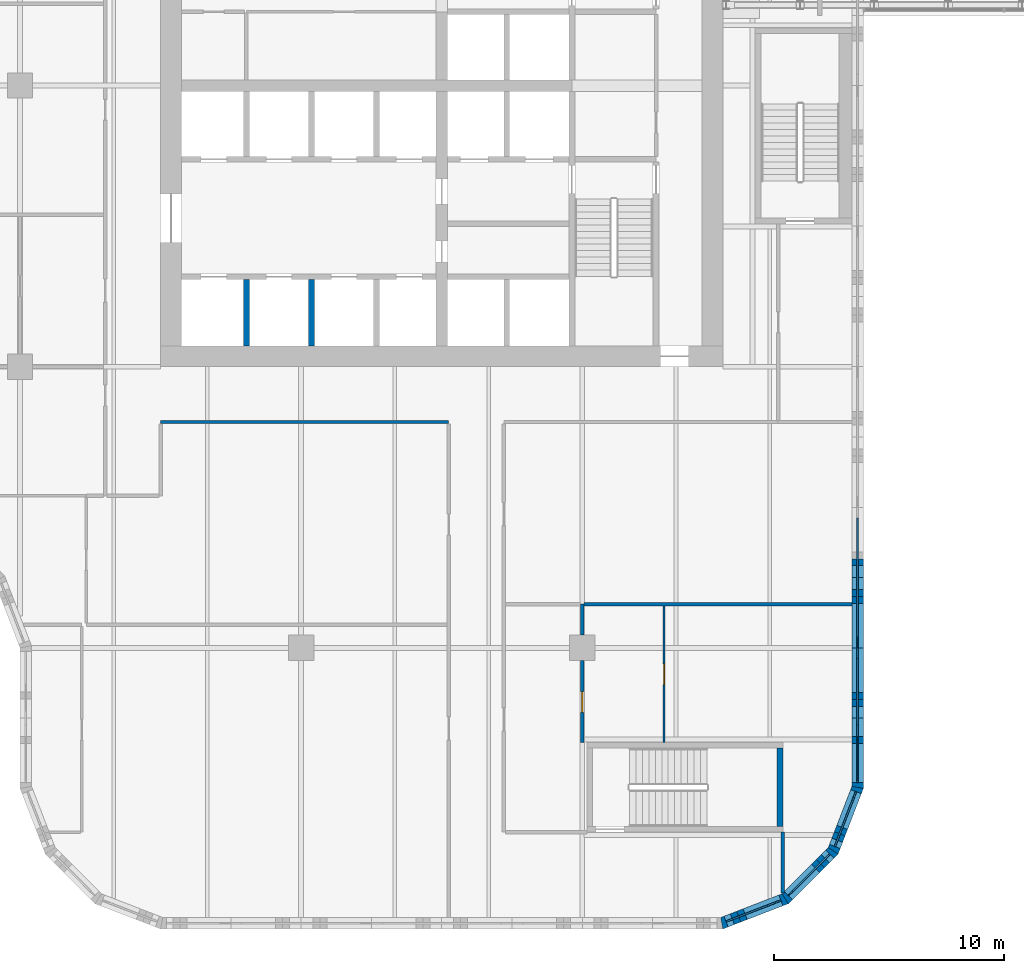
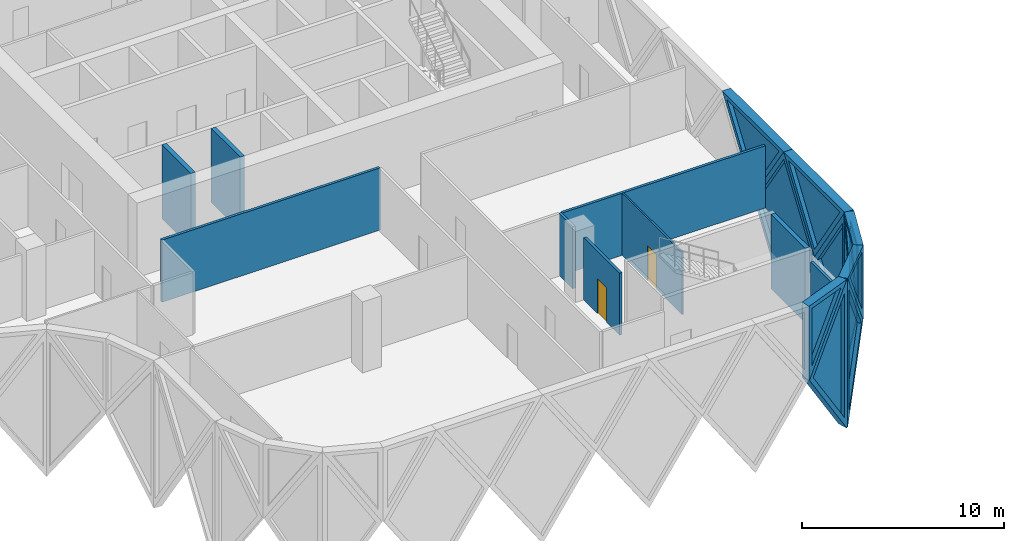
# One storey, part 13 of 30: 19 walls, 10 plates, 2 doors, 12 openings.
"""IFC4 building model written with IfcOpenShell, lengths in metres."""

from ifc_helpers import new_model, si_unit, direction, frame, frame_2d, origin, place, context, subcontext, project, spatial, polyline, rectangle, outline, extrude, faceted_brep, source, transform, mapped, material, layer, layer_set, type_object, element, fill, save


model = new_model("IFC4")

# Units and contexts
model_context = context("Model", 3, precision=1e-05, world=origin(), true_north=direction((0.0, 1.0)))
body_context = subcontext(model_context, "Body", "Model", "MODEL_VIEW")
ifc_project = project(units=[si_unit("LENGTHUNIT", "METRE"), si_unit("AREAUNIT", "SQUARE_METRE"), si_unit("VOLUMEUNIT", "CUBIC_METRE"), si_unit("PLANEANGLEUNIT", "RADIAN"), si_unit("MASSUNIT", "GRAM", prefix="KILO")], contexts=[model_context])

# Site, building, storey
site_placement = place(None, origin())
site = spatial("IfcSite", under=ifc_project, at=site_placement, CompositionType="ELEMENT")
building_placement = place(site_placement, origin())
building = spatial("IfcBuilding", under=site, at=building_placement, Name="Tessera Gate Towers", CompositionType="ELEMENT")
storey_placement = place(building_placement, frame((0.0, 0.0, 21.300048828125)))
storey = spatial("IfcBuildingStorey", under=building, at=storey_placement, Name="L04", CompositionType="ELEMENT", Elevation=21.300048828125)

# Walls
ifc_material_1 = material(Name="Concrete C40/50", Category="concrete")
ifc_layer_1 = layer(ifc_material_1, 0.25)
ifc_layer_set_1 = layer_set([ifc_layer_1], Name="CORE ENCLOSURE WALL 250")
wall_type_1 = type_object("IfcWallType", Name="CORE ENCLOSURE WALL 250", PredefinedType="SOLIDWALL", material=ifc_layer_set_1)
for number, where, z_axis, x_axis, name in (
    (1, (34.22509765625, 25.300048828125, 0.0), (0.0, 0.0, 1.0), (0.0, 1.0, 0.0), "L04 shaft and stair enclosure wall"),
    (2, (37.050048828125, 25.300048828125, 0.0), (0.0, 0.0, 1.0), (0.0, 1.0, 0.0), "L04 shaft and stair enclosure wall"),
):
    element("IfcWall", number, at=place(storey_placement, frame(where, z_axis=z_axis, x_axis=x_axis)), inside=storey, type_object=wall_type_1, Name=name, PredefinedType="SOLIDWALL", context=body_context, shape_type="SweptSolid", body=[
        extrude(rectangle(XDim=2.875, YDim=0.25, at=frame_2d((1.4375, 0.0))), origin(), (0.0, 0.0, 1.0), 4.5),
    ])
wall_1_placement = place(storey_placement, frame((57.375, 7.85009765625, 0.0), z_axis=(0.0, 0.0, 1.0), x_axis=(0.0, -1.0, 0.0)))
element("IfcWall", 3, at=wall_1_placement, inside=storey, type_object=wall_type_1, Name="L04 ST4 enclosure wall", PredefinedType="SOLIDWALL", context=body_context, shape_type="SweptSolid", body=[
    extrude(rectangle(XDim=3.400146484375, YDim=0.25, at=frame_2d((1.7001953125, 0.0))), origin(), (0.0, 0.0, 1.0), 4.5),
])
ifc_material_2 = material(Name="Gypsum board on steel studs, mineral wool", Category="steel")
ifc_layer_2 = layer(ifc_material_2, 0.14990234375)
ifc_layer_set_2 = layer_set([ifc_layer_2], Name="CORRIDOR WALL 150")
wall_type_2 = type_object("IfcWallType", Name="CORRIDOR WALL 150", PredefinedType="PARTITIONING", material=ifc_layer_set_2)
wall_2_placement = place(storey_placement, frame((57.5, 1.55908203125, 0.0), z_axis=(0.0, 0.0, 1.0), x_axis=(0.0, 1.0, 0.0)))
element("IfcWall", 4, at=wall_2_placement, inside=storey, type_object=wall_type_2, Name="T1-L04-PW-002", PredefinedType="PARTITIONING", context=body_context, shape_type="SweptSolid", body=[
    extrude(rectangle(XDim=2.640869140625, YDim=0.14990234375, at=frame_2d((1.3203125, 0.0))), origin(), (0.0, 0.0, 1.0), 3.766845703125),
])
wall_3_placement = place(storey_placement, frame((30.5, 22.0, 0.0), z_axis=(0.0, 0.0, 1.0), x_axis=(1.0, 0.0, 0.0)))
element("IfcWall", 5, at=wall_3_placement, inside=storey, type_object=wall_type_2, Name="T1-L04-PW-022", PredefinedType="PARTITIONING", context=body_context, shape_type="SweptSolid", body=[
    extrude(rectangle(XDim=12.5, YDim=0.14990234375, at=frame_2d((6.25, 0.0))), origin(), (0.0, 0.0, 1.0), 3.766845703125),
])

# Wall, opening, door
ifc_material_3 = material(Name="Gypsum board on steel studs", Category="steel")
ifc_layer_3 = layer(ifc_material_3, 0.10009765625)
ifc_layer_set_3 = layer_set([ifc_layer_3], Name="PARTITION 100")
wall_type_3 = type_object("IfcWallType", Name="PARTITION 100", PredefinedType="PARTITIONING", material=ifc_layer_set_3)
wall_4_placement = place(storey_placement, frame((52.35009765625, 14.02392578125, 0.0), z_axis=(0.0, 0.0, 1.0), x_axis=(0.0, -1.0, 0.0)))
wall_4 = element("IfcWall", 6, at=wall_4_placement, inside=storey, type_object=wall_type_3, Name="T1-L04-PW-008", PredefinedType="PARTITIONING", context=body_context, shape_type="SweptSolid", body=[
    extrude(rectangle(XDim=5.923828125, YDim=0.10009765625, at=frame_2d((2.9619140625, 0.0))), origin(), (0.0, 0.0, 1.0), 3.766845703125),
])
shared_shape_1 = source(origin(), body_context, "Body", "SweptSolid", [
    extrude(rectangle(XDim=0.89990234375, YDim=2.10009765625, at=frame_2d((0.449951171875, 1.050048828125))), frame((0.0, 0.06005859375, 0.0), z_axis=(0.0, -1.0, 0.0), x_axis=(1.0, 0.0, 0.0)), (0.0, 0.0, 1.0), 0.1201171875),
])
opening_1_placement = place(wall_4_placement, frame((2.52392578125, 0.0, 0.0)))
opening_1 = element("IfcOpeningElement", 7, at=opening_1_placement, cuts=wall_4, Name="Opening D190-A01-05", PredefinedType="OPENING", context=body_context, shape_type="MappedRepresentation", body=[
    mapped(shared_shape_1, transform((0.0, 0.0, 0.0), scale=1.0)),
])
ifc_material_4 = material(Name="Timber door leaf in steel frame", Category="steel")
door_type = type_object("IfcDoorType", Name="INTERNAL DOOR 900 NOT RATED", OperationType="NOTDEFINED", PredefinedType="DOOR", material=ifc_material_4)
shared_shape_2 = source(origin(), body_context, "Body", "SweptSolid", [
    extrude(rectangle(XDim=0.89990234375, YDim=2.10009765625, at=frame_2d((0.449951171875, 1.050048828125))), frame((0.0, 0.02490234375, 0.0), z_axis=(0.0, -1.0, 0.0), x_axis=(1.0, 0.0, 0.0)), (0.0, 0.0, 1.0), 0.050048828125),
])
door_1_placement = place(opening_1_placement, origin())
door_1 = element("IfcDoor", 8, at=door_1_placement, inside=storey, type_object=door_type, Name="T1-L04-PD-009", OperationType="SINGLE_SWING_RIGHT", OverallHeight=2.10009765625, OverallWidth=0.89990234375, PredefinedType="DOOR", context=body_context, shape_type="MappedRepresentation", body=[
    mapped(shared_shape_2, transform((0.0, 0.0, 0.0), scale=1.0)),
])
fill(opening_1, door_1)

ifc_material_5 = material(Name="Gypsum board on steel studs, mineral wool", Category="steel")
ifc_layer_4 = layer(ifc_material_5, 0.14990234375)
ifc_layer_set_4 = layer_set([ifc_layer_4], Name="TENANCY WALL 150")
wall_type_4 = type_object("IfcWallType", Name="TENANCY WALL 150", PredefinedType="PARTITIONING", material=ifc_layer_set_4)
wall_5_placement = place(storey_placement, frame((48.800048828125, 11.64892578125, 0.0), z_axis=(0.0, 0.0, 1.0), x_axis=(0.0, -1.0, 0.0)))
wall_5 = element("IfcWall", 9, at=wall_5_placement, inside=storey, type_object=wall_type_4, Name="T1-L04-PW-007", PredefinedType="PARTITIONING", context=body_context, shape_type="SweptSolid", body=[
    extrude(rectangle(XDim=3.548828125, YDim=0.14990234375, at=frame_2d((1.7744140625, 0.0))), origin(), (0.0, 0.0, 1.0), 3.766845703125),
])
shared_shape_3 = source(origin(), body_context, "Body", "SweptSolid", [
    extrude(rectangle(XDim=0.89990234375, YDim=2.10009765625, at=frame_2d((0.449951171875, 1.050048828125))), frame((0.0, 0.0849609375, 0.0), z_axis=(0.0, -1.0, 0.0), x_axis=(1.0, 0.0, 0.0)), (0.0, 0.0, 1.0), 0.169921875),
])
opening_2_placement = place(wall_5_placement, frame((1.34912109375, 0.0, 0.0)))
opening_2 = element("IfcOpeningElement", 10, at=opening_2_placement, cuts=wall_5, Name="Opening D190-A01-04", PredefinedType="OPENING", context=body_context, shape_type="MappedRepresentation", body=[
    mapped(shared_shape_3, transform((0.0, 0.0, 0.0), scale=1.0)),
])
door_2_placement = place(opening_2_placement, origin())
door_2 = element("IfcDoor", 11, at=door_2_placement, inside=storey, type_object=door_type, Name="T1-L04-PD-005", OperationType="SINGLE_SWING_RIGHT", OverallHeight=2.10009765625, OverallWidth=0.89990234375, PredefinedType="DOOR", context=body_context, shape_type="MappedRepresentation", body=[
    mapped(shared_shape_2, transform((0.0, 0.0, 0.0), scale=1.0)),
])
fill(opening_2, door_2)

# Walls
wall_6_placement = place(storey_placement, frame((48.800048828125, 12.7509765625, 0.0), z_axis=(0.0, 0.0, 1.0), x_axis=(0.0, 1.0, 0.0)))
element("IfcWall", 12, at=wall_6_placement, inside=storey, type_object=wall_type_4, Name="T1-L04-PW-009", PredefinedType="PARTITIONING", context=body_context, shape_type="SweptSolid", body=[
    extrude(rectangle(XDim=1.34912109375, YDim=0.14990234375, at=frame_2d((0.674560546875, 0.0))), origin(), (0.0, 0.0, 1.0), 3.766845703125),
])
wall_7_placement = place(storey_placement, frame((48.8759765625, 14.10009765625, 0.0), z_axis=(0.0, 0.0, 1.0), x_axis=(1.0, 0.0, 0.0)))
element("IfcWall", 13, at=wall_7_placement, inside=storey, type_object=wall_type_4, Name="T1-L04-PW-014", PredefinedType="PARTITIONING", context=body_context, shape_type="SweptSolid", body=[
    extrude(rectangle(XDim=11.6240234375, YDim=0.14990234375, at=frame_2d((5.81201171875, 0.0))), origin(), (0.0, 0.0, 1.0), 3.766845703125),
])

# Wall, opening, plate
ifc_material_6 = material(Name="Precast concrete C60/75 white", Category="concrete")
ifc_layer_5 = layer(ifc_material_6, 0.5)
ifc_layer_set_5 = layer_set([ifc_layer_5], Name="TS1 tessera")
wall_type_5 = type_object("IfcWallType", Name="TS1 tessera", PredefinedType="SOLIDWALL", material=ifc_layer_set_5)
shared_shape_4 = source(origin(), body_context, "Body", "SweptSolid", [
    extrude(outline(polyline([(3.050048828125, 0.0), (6.10009765625, 4.5), (3.050048828125, 9.0), (0.0, 4.5), (3.050048828125, 0.0)])), frame((0.0, 0.25, 0.0), z_axis=(0.0, -1.0, 0.0), x_axis=(1.0, 0.0, 0.0)), (0.0, 0.0, 1.0), 0.5),
])
wall_8_placement = place(storey_placement, frame((60.75, 9.14990234375, -4.5), z_axis=(0.0, 0.0, 1.0), x_axis=(0.0, 1.0, 0.0)))
wall_8 = element("IfcWall", 14, at=wall_8_placement, inside=storey, type_object=wall_type_5, Name="Precast tessera T1 TS1-0005", PredefinedType="SOLIDWALL", context=body_context, shape_type="MappedRepresentation", body=[
    mapped(shared_shape_4, transform((0.0, 0.0, 0.0), scale=1.0)),
])
shared_shape_5 = source(origin(), body_context, "Body", "SweptSolid", [
    extrude(outline(polyline([(3.050048828125, 0.445556640625), (5.798095703125, 4.5), (3.050048828125, 8.554443359375), (0.302001953125, 4.5), (3.050048828125, 0.445556640625)])), frame((0.0, 0.260009765625, 0.0), z_axis=(0.0, -1.0, 0.0), x_axis=(1.0, 0.0, 0.0)), (0.0, 0.0, 1.0), 0.52001953125),
])
opening_3_placement = place(wall_8_placement, origin())
opening_3 = element("IfcOpeningElement", 15, at=opening_3_placement, cuts=wall_8, Name="Opening T1-PL2-0009", PredefinedType="OPENING", context=body_context, shape_type="MappedRepresentation", body=[
    mapped(shared_shape_5, transform((0.0, 0.0, 0.0), scale=1.0)),
])
ifc_material_7 = material(Name="Low-e laminated glass", Category="glass")
ifc_layer_6 = layer(ifc_material_7, 0.06005859375)
ifc_layer_set_6 = layer_set([ifc_layer_6], Name="PL2 rhombic pane")
plate_type_1 = type_object("IfcPlateType", Name="PL2 rhombic pane", PredefinedType="SHEET", material=ifc_layer_set_6)
shared_shape_6 = source(origin(), body_context, "Body", "SweptSolid", [
    extrude(outline(polyline([(3.050048828125, 0.445556640625), (5.798095703125, 4.5), (3.050048828125, 8.554443359375), (0.302001953125, 4.5), (3.050048828125, 0.445556640625)])), frame((0.0, 0.030029296875, 0.0), z_axis=(0.0, -1.0, 0.0), x_axis=(1.0, 0.0, 0.0)), (0.0, 0.0, 1.0), 0.06005859375),
])
plate_1_placement = place(opening_3_placement, origin())
plate_1 = element("IfcPlate", 16, at=plate_1_placement, inside=storey, type_object=plate_type_1, Name="Glass pane T1 PL2-0009", PredefinedType="SHEET", context=body_context, shape_type="MappedRepresentation", body=[
    mapped(shared_shape_6, transform((0.0, 0.0, 0.0), scale=1.0)),
])
fill(opening_3, plate_1)

ifc_material_8 = material(Name="Precast concrete C60/75 white", Category="concrete")
ifc_layer_7 = layer(ifc_material_8, 0.5)
ifc_layer_set_7 = layer_set([ifc_layer_7], Name="TS3 corner tessera")
wall_type_6 = type_object("IfcWallType", Name="TS3 corner tessera", PredefinedType="SOLIDWALL", material=ifc_layer_set_7)
shared_shape_7 = source(origin(), body_context, "Body", "Brep", [
    faceted_brep([(2.950439453125, -0.25, 0.0), (3.00341796875, -0.25, 0.0810546875), (3.00341796875, -0.25, 8.9189453125), (2.950439453125, -0.25, 9.0), (0.0, -0.25, 4.5), (0.046630859375, 0.25, 4.571044921875), (2.897705078125, 0.25, 8.91943359375), (2.897705078125, 0.25, 0.08056640625), (0.046630859375, 0.25, 4.428955078125), (2.950439453125, 0.00048828125, 0.0), (2.950439453125, 0.00048828125, 9.0), (0.0, 0.0, 4.5)], [[[0, 1, 2, 3, 4]], [[5, 6, 7, 8]], [[1, 0, 9]], [[10, 3, 2]], [[6, 5, 11, 4, 3, 10]], [[8, 7, 9, 0, 4, 11]], [[8, 11, 5]], [[1, 9, 7, 6, 10, 2]]]),
])
wall_9_placement = place(storey_placement, frame((54.853515625, 0.25, -4.5), z_axis=(0.0, 0.0, 1.0), x_axis=(0.932970071518, 0.359953949349, 0.0)))
wall_9 = element("IfcWall", 17, at=wall_9_placement, inside=storey, type_object=wall_type_6, Name="Precast corner tessera T1 TS3-0025", PredefinedType="SOLIDWALL", context=body_context, shape_type="MappedRepresentation", body=[
    mapped(shared_shape_7, transform((0.0, 0.0, 0.0), scale=1.0)),
])
shared_shape_8 = source(origin(), body_context, "Body", "SweptSolid", [
    extrude(outline(polyline([(2.75048828125, 8.239013671875), (0.298828125, 4.5), (2.75048828125, 0.760986328125), (2.75048828125, 8.239013671875)])), frame((0.0, 0.260009765625, 0.0), z_axis=(0.0, -1.0, 0.0), x_axis=(1.0, 0.0, 0.0)), (0.0, 0.0, 1.0), 0.52001953125),
])
opening_4_placement = place(wall_9_placement, origin())
opening_4 = element("IfcOpeningElement", 18, at=opening_4_placement, cuts=wall_9, Name="Opening T1-PL2-0005", PredefinedType="OPENING", context=body_context, shape_type="MappedRepresentation", body=[
    mapped(shared_shape_8, transform((0.0, 0.0, 0.0), scale=1.0)),
])
shared_shape_9 = source(origin(), body_context, "Body", "SweptSolid", [
    extrude(outline(polyline([(2.75048828125, 8.239013671875), (0.298828125, 4.5), (2.75048828125, 0.760986328125), (2.75048828125, 8.239013671875)])), frame((0.0, 0.030029296875, 0.0), z_axis=(0.0, -1.0, 0.0), x_axis=(1.0, 0.0, 0.0)), (0.0, 0.0, 1.0), 0.06005859375),
])
plate_2_placement = place(opening_4_placement, origin())
plate_2 = element("IfcPlate", 19, at=plate_2_placement, inside=storey, type_object=plate_type_1, Name="Glass pane T1 PL2-0005", PredefinedType="SHEET", context=body_context, shape_type="MappedRepresentation", body=[
    mapped(shared_shape_9, transform((0.0, 0.0, 0.0), scale=1.0)),
])
fill(opening_4, plate_2)

shared_shape_10 = source(origin(), body_context, "Body", "Brep", [
    faceted_brep([(0.052978515625, -0.25, 0.0), (2.9970703125, -0.25, 4.5), (0.052978515625, -0.25, 9.0), (0.0, -0.25, 8.919189453125), (0.0, -0.25, 0.080810546875), (0.10595703125, 0.25, 8.919189453125), (2.944091796875, 0.25, 4.580810546875), (2.944091796875, 0.25, 4.419189453125), (0.10595703125, 0.25, 0.080810546875), (2.9970703125, 0.000244140625, 4.5), (0.052978515625, 0.0, 0.0), (0.052978515625, 0.0, 9.0)], [[[0, 1, 2, 3, 4]], [[5, 6, 7, 8]], [[8, 7, 9, 1, 0, 10]], [[6, 5, 11, 2, 1, 9]], [[3, 2, 11]], [[10, 0, 4]], [[8, 10, 4, 3, 11, 5]], [[9, 7, 6]]]),
])
wall_10_placement = place(storey_placement, frame((57.56884765625, 1.2744140625, -4.5), z_axis=(0.0, 0.0, 1.0), x_axis=(0.707066050402, 0.707147509625, 0.0)))
wall_10 = element("IfcWall", 20, at=wall_10_placement, inside=storey, type_object=wall_type_6, Name="Precast corner tessera T1 TS3-0026", PredefinedType="SOLIDWALL", context=body_context, shape_type="MappedRepresentation", body=[
    mapped(shared_shape_10, transform((0.0, 0.0, 0.0), scale=1.0)),
])
shared_shape_11 = source(origin(), body_context, "Body", "SweptSolid", [
    extrude(outline(polyline([(0.2529296875, 0.76220703125), (2.698486328125, 4.5), (0.2529296875, 8.237548828125), (0.2529296875, 0.76220703125)])), frame((0.0, 0.260009765625, 0.0), z_axis=(0.0, -1.0, 0.0), x_axis=(1.0, 0.0, 0.0)), (0.0, 0.0, 1.0), 0.52001953125),
])
opening_5_placement = place(wall_10_placement, origin())
opening_5 = element("IfcOpeningElement", 21, at=opening_5_placement, cuts=wall_10, Name="Opening T1-PL2-0006", PredefinedType="OPENING", context=body_context, shape_type="MappedRepresentation", body=[
    mapped(shared_shape_11, transform((0.0, 0.0, 0.0), scale=1.0)),
])
shared_shape_12 = source(origin(), body_context, "Body", "SweptSolid", [
    extrude(outline(polyline([(0.2529296875, 0.76220703125), (2.698486328125, 4.5), (0.2529296875, 8.237548828125), (0.2529296875, 0.76220703125)])), frame((0.0, 0.030029296875, 0.0), z_axis=(0.0, -1.0, 0.0), x_axis=(1.0, 0.0, 0.0)), (0.0, 0.0, 1.0), 0.06005859375),
])
plate_3_placement = place(opening_5_placement, origin())
plate_3 = element("IfcPlate", 22, at=plate_3_placement, inside=storey, type_object=plate_type_1, Name="Glass pane T1 PL2-0006", PredefinedType="SHEET", context=body_context, shape_type="MappedRepresentation", body=[
    mapped(shared_shape_12, transform((0.0, 0.0, 0.0), scale=1.0)),
])
fill(opening_5, plate_3)

shared_shape_13 = source(origin(), body_context, "Body", "Brep", [
    faceted_brep([(2.950439453125, -0.25, 0.0), (2.9970703125, -0.25, 0.06982421875), (2.9970703125, -0.25, 8.93017578125), (2.950439453125, -0.25, 9.0), (0.0, -0.25, 4.5), (0.052978515625, 0.25, 4.580810546875), (2.904052734375, 0.25, 8.92919921875), (2.904052734375, 0.25, 0.07080078125), (0.052978515625, 0.25, 4.419189453125), (2.950439453125, 0.00048828125, 0.0), (2.950439453125, 0.00048828125, 9.0), (0.0, 0.0, 4.5)], [[[0, 1, 2, 3, 4]], [[5, 6, 7, 8]], [[1, 0, 9]], [[10, 3, 2]], [[6, 5, 11, 4, 3, 10]], [[8, 7, 9, 0, 4, 11]], [[8, 11, 5]], [[1, 9, 7, 6, 10, 2]]]),
])
wall_11_placement = place(storey_placement, frame((59.68798828125, 3.393798828125, -4.5), z_axis=(0.0, 0.0, 1.0), x_axis=(0.359972353723, 0.932962970624, 0.0)))
wall_11 = element("IfcWall", 23, at=wall_11_placement, inside=storey, type_object=wall_type_6, Name="Precast corner tessera T1 TS3-0027", PredefinedType="SOLIDWALL", context=body_context, shape_type="MappedRepresentation", body=[
    mapped(shared_shape_13, transform((0.0, 0.0, 0.0), scale=1.0)),
])
opening_6_placement = place(wall_11_placement, origin())
opening_6 = element("IfcOpeningElement", 24, at=opening_6_placement, cuts=wall_11, Name="Opening T1-PL2-0007", PredefinedType="OPENING", context=body_context, shape_type="MappedRepresentation", body=[
    mapped(shared_shape_8, transform((0.0, 0.0, 0.0), scale=1.0)),
])
plate_4_placement = place(opening_6_placement, origin())
plate_4 = element("IfcPlate", 25, at=plate_4_placement, inside=storey, type_object=plate_type_1, Name="Glass pane T1 PL2-0007", PredefinedType="SHEET", context=body_context, shape_type="MappedRepresentation", body=[
    mapped(shared_shape_9, transform((0.0, 0.0, 0.0), scale=1.0)),
])
fill(opening_6, plate_4)

shared_shape_14 = source(origin(), body_context, "Body", "Brep", [
    faceted_brep([(0.046630859375, -0.25, 0.0), (3.050048828125, -0.25, 4.5), (0.046630859375, -0.25, 9.0), (0.0, -0.25, 8.928955078125), (0.0, -0.25, 0.071044921875), (0.09326171875, 0.25, 8.93017578125), (3.050048828125, 0.25, 4.5), (0.09326171875, 0.25, 0.06982421875), (0.046630859375, 0.0, 0.0), (0.046630859375, 0.0, 9.0)], [[[0, 1, 2, 3, 4]], [[5, 6, 7]], [[7, 6, 1, 0, 8]], [[6, 5, 9, 2, 1]], [[3, 2, 9]], [[8, 0, 4]], [[7, 8, 4, 3, 9, 5]]]),
])
wall_12_placement = place(storey_placement, frame((60.75, 6.099853515625, -4.5), z_axis=(0.0, 0.0, 1.0), x_axis=(0.0, 1.0, 0.0)))
wall_12 = element("IfcWall", 26, at=wall_12_placement, inside=storey, type_object=wall_type_6, Name="Precast corner tessera T1 TS3-0028", PredefinedType="SOLIDWALL", context=body_context, shape_type="MappedRepresentation", body=[
    mapped(shared_shape_14, transform((0.0, 0.0, 0.0), scale=1.0)),
])
shared_shape_15 = source(origin(), body_context, "Body", "SweptSolid", [
    extrude(outline(polyline([(0.24658203125, 0.75), (2.74951171875, 4.5), (0.24658203125, 8.25), (0.24658203125, 0.75)])), frame((0.0, 0.260009765625, 0.0), z_axis=(0.0, -1.0, 0.0), x_axis=(1.0, 0.0, 0.0)), (0.0, 0.0, 1.0), 0.52001953125),
])
opening_7_placement = place(wall_12_placement, origin())
opening_7 = element("IfcOpeningElement", 27, at=opening_7_placement, cuts=wall_12, Name="Opening T1-PL2-0008", PredefinedType="OPENING", context=body_context, shape_type="MappedRepresentation", body=[
    mapped(shared_shape_15, transform((0.0, 0.0, 0.0), scale=1.0)),
])
shared_shape_16 = source(origin(), body_context, "Body", "SweptSolid", [
    extrude(outline(polyline([(0.24658203125, 0.75), (2.74951171875, 4.5), (0.24658203125, 8.25), (0.24658203125, 0.75)])), frame((0.0, 0.030029296875, 0.0), z_axis=(0.0, -1.0, 0.0), x_axis=(1.0, 0.0, 0.0)), (0.0, 0.0, 1.0), 0.06005859375),
])
plate_5_placement = place(opening_7_placement, origin())
plate_5 = element("IfcPlate", 28, at=plate_5_placement, inside=storey, type_object=plate_type_1, Name="Glass pane T1 PL2-0008", PredefinedType="SHEET", context=body_context, shape_type="MappedRepresentation", body=[
    mapped(shared_shape_16, transform((0.0, 0.0, 0.0), scale=1.0)),
])
fill(opening_7, plate_5)

ifc_material_9 = material(Name="Precast concrete C60/75 white", Category="concrete")
ifc_layer_8 = layer(ifc_material_9, 0.5)
ifc_layer_set_8 = layer_set([ifc_layer_8], Name="TS2 half tessera")
wall_type_7 = type_object("IfcWallType", Name="TS2 half tessera", PredefinedType="SOLIDWALL", material=ifc_layer_set_8)
shared_shape_17 = source(origin(), body_context, "Body", "SweptSolid", [
    extrude(outline(polyline([(3.050048828125, 0.0), (6.10009765625, 4.5), (0.0, 4.5), (3.050048828125, 0.0)])), frame((0.0, 0.25, 0.0), z_axis=(0.0, -1.0, 0.0), x_axis=(1.0, 0.0, 0.0)), (0.0, 0.0, 1.0), 0.5),
])
wall_13_placement = place(storey_placement, frame((60.75, 12.199951171875, 0.0), z_axis=(0.0, 0.0, 1.0), x_axis=(0.0, 1.0, 0.0)))
wall_13 = element("IfcWall", 29, at=wall_13_placement, inside=storey, type_object=wall_type_7, Name="Precast half tessera T1 TS2-0027", PredefinedType="SOLIDWALL", context=body_context, shape_type="MappedRepresentation", body=[
    mapped(shared_shape_17, transform((0.0, 0.0, 0.0), scale=1.0)),
])
shared_shape_18 = source(origin(), body_context, "Body", "SweptSolid", [
    extrude(outline(polyline([(3.050048828125, 0.445556640625), (5.628662109375, 4.25), (0.471435546875, 4.25), (3.050048828125, 0.445556640625)])), frame((0.0, 0.260009765625, 0.0), z_axis=(0.0, -1.0, 0.0), x_axis=(1.0, 0.0, 0.0)), (0.0, 0.0, 1.0), 0.52001953125),
])
opening_8_placement = place(wall_13_placement, origin())
opening_8 = element("IfcOpeningElement", 30, at=opening_8_placement, cuts=wall_13, Name="Opening T1-PL1-0057", PredefinedType="OPENING", context=body_context, shape_type="MappedRepresentation", body=[
    mapped(shared_shape_18, transform((0.0, 0.0, 0.0), scale=1.0)),
])
ifc_material_10 = material(Name="Low-e laminated glass", Category="glass")
ifc_layer_9 = layer(ifc_material_10, 0.06005859375)
ifc_layer_set_9 = layer_set([ifc_layer_9], Name="PL1 triangular pane")
plate_type_2 = type_object("IfcPlateType", Name="PL1 triangular pane", PredefinedType="SHEET", material=ifc_layer_set_9)
shared_shape_19 = source(origin(), body_context, "Body", "SweptSolid", [
    extrude(outline(polyline([(3.050048828125, 0.445556640625), (5.628662109375, 4.25), (0.471435546875, 4.25), (3.050048828125, 0.445556640625)])), frame((0.0, 0.030029296875, 0.0), z_axis=(0.0, -1.0, 0.0), x_axis=(1.0, 0.0, 0.0)), (0.0, 0.0, 1.0), 0.06005859375),
])
plate_6_placement = place(opening_8_placement, origin())
plate_6 = element("IfcPlate", 31, at=plate_6_placement, inside=storey, type_object=plate_type_2, Name="Glass pane T1 PL1-0057", PredefinedType="SHEET", context=body_context, shape_type="MappedRepresentation", body=[
    mapped(shared_shape_19, transform((0.0, 0.0, 0.0), scale=1.0)),
])
fill(opening_8, plate_6)

shared_shape_20 = source(origin(), body_context, "Body", "Brep", [
    faceted_brep([(0.046630859375, -0.25, 0.0), (2.9970703125, -0.25, 4.5), (0.0, -0.25, 4.5), (0.0, -0.25, 0.06982421875), (0.09326171875, 0.25, 4.5), (2.9443359375, 0.25, 4.5), (2.9443359375, 0.25, 4.41943359375), (0.09326171875, 0.25, 0.071044921875), (2.9970703125, 0.00048828125, 4.5), (0.046630859375, 0.0, 0.0)], [[[0, 1, 2, 3]], [[4, 5, 6, 7]], [[7, 6, 8, 1, 0, 9]], [[5, 4, 2, 1, 8]], [[9, 0, 3]], [[7, 9, 3, 2, 4]], [[6, 5, 8]]]),
])
wall_14_placement = place(storey_placement, frame((54.81005859375, 0.233154296875, 0.0), z_axis=(0.0, 0.0, 1.0), x_axis=(0.932990326376, 0.359901446078, 0.0)))
wall_14 = element("IfcWall", 32, at=wall_14_placement, inside=storey, type_object=wall_type_6, Name="Precast corner tessera T1 TS3-0052", PredefinedType="SOLIDWALL", context=body_context, shape_type="MappedRepresentation", body=[
    mapped(shared_shape_20, transform((0.0, 0.0, 0.0), scale=1.0)),
])
shared_shape_21 = source(origin(), body_context, "Body", "SweptSolid", [
    extrude(outline(polyline([(0.24658203125, 0.760986328125), (2.5341796875, 4.25), (0.24658203125, 4.25), (0.24658203125, 0.760986328125)])), frame((0.0, 0.260009765625, 0.0), z_axis=(0.0, -1.0, 0.0), x_axis=(1.0, 0.0, 0.0)), (0.0, 0.0, 1.0), 0.52001953125),
])
opening_9_placement = place(wall_14_placement, origin())
opening_9 = element("IfcOpeningElement", 33, at=opening_9_placement, cuts=wall_14, Name="Opening T1-PL1-0053", PredefinedType="OPENING", context=body_context, shape_type="MappedRepresentation", body=[
    mapped(shared_shape_21, transform((0.0, 0.0, 0.0), scale=1.0)),
])
shared_shape_22 = source(origin(), body_context, "Body", "SweptSolid", [
    extrude(outline(polyline([(0.24658203125, 0.760986328125), (2.5341796875, 4.25), (0.24658203125, 4.25), (0.24658203125, 0.760986328125)])), frame((0.0, 0.030029296875, 0.0), z_axis=(0.0, -1.0, 0.0), x_axis=(1.0, 0.0, 0.0)), (0.0, 0.0, 1.0), 0.06005859375),
])
plate_7_placement = place(opening_9_placement, origin())
plate_7 = element("IfcPlate", 34, at=plate_7_placement, inside=storey, type_object=plate_type_2, Name="Glass pane T1 PL1-0053", PredefinedType="SHEET", context=body_context, shape_type="MappedRepresentation", body=[
    mapped(shared_shape_22, transform((0.0, 0.0, 0.0), scale=1.0)),
])
fill(opening_9, plate_7)

shared_shape_23 = source(origin(), body_context, "Body", "Brep", [
    faceted_brep([(2.944091796875, -0.25, 0.0), (2.9970703125, -0.25, 0.080810546875), (2.9970703125, -0.25, 4.5), (0.0, -0.25, 4.5), (0.052978515625, 0.25, 4.5), (2.89111328125, 0.25, 4.5), (2.89111328125, 0.25, 0.080810546875), (0.052978515625, 0.25, 4.419189453125), (2.944091796875, 0.000244140625, 0.0), (0.0, 0.0, 4.5)], [[[0, 1, 2, 3]], [[4, 5, 6, 7]], [[1, 0, 8]], [[5, 4, 9, 3, 2]], [[7, 6, 8, 0, 3, 9]], [[7, 9, 4]], [[1, 8, 6, 5, 2]]]),
])
wall_15_placement = place(storey_placement, frame((57.606201171875, 1.31201171875, 0.0), z_axis=(0.0, 0.0, 1.0), x_axis=(0.707147509625, 0.707066050402, 0.0)))
wall_15 = element("IfcWall", 35, at=wall_15_placement, inside=storey, type_object=wall_type_6, Name="Precast corner tessera T1 TS3-0053", PredefinedType="SOLIDWALL", context=body_context, shape_type="MappedRepresentation", body=[
    mapped(shared_shape_23, transform((0.0, 0.0, 0.0), scale=1.0)),
])
shared_shape_24 = source(origin(), body_context, "Body", "SweptSolid", [
    extrude(outline(polyline([(2.744140625, 4.25), (0.46240234375, 4.25), (2.744140625, 0.76220703125), (2.744140625, 4.25)])), frame((0.0, 0.260009765625, 0.0), z_axis=(0.0, -1.0, 0.0), x_axis=(1.0, 0.0, 0.0)), (0.0, 0.0, 1.0), 0.52001953125),
])
opening_10_placement = place(wall_15_placement, origin())
opening_10 = element("IfcOpeningElement", 36, at=opening_10_placement, cuts=wall_15, Name="Opening T1-PL1-0054", PredefinedType="OPENING", context=body_context, shape_type="MappedRepresentation", body=[
    mapped(shared_shape_24, transform((0.0, 0.0, 0.0), scale=1.0)),
])
shared_shape_25 = source(origin(), body_context, "Body", "SweptSolid", [
    extrude(outline(polyline([(2.744140625, 4.25), (0.46240234375, 4.25), (2.744140625, 0.76220703125), (2.744140625, 4.25)])), frame((0.0, 0.030029296875, 0.0), z_axis=(0.0, -1.0, 0.0), x_axis=(1.0, 0.0, 0.0)), (0.0, 0.0, 1.0), 0.06005859375),
])
plate_8_placement = place(opening_10_placement, origin())
plate_8 = element("IfcPlate", 37, at=plate_8_placement, inside=storey, type_object=plate_type_2, Name="Glass pane T1 PL1-0054", PredefinedType="SHEET", context=body_context, shape_type="MappedRepresentation", body=[
    mapped(shared_shape_25, transform((0.0, 0.0, 0.0), scale=1.0)),
])
fill(opening_10, plate_8)

shared_shape_26 = source(origin(), body_context, "Body", "Brep", [
    faceted_brep([(0.052978515625, -0.25, 0.0), (3.00341796875, -0.25, 4.5), (0.0, -0.25, 4.5), (0.0, -0.25, 0.080810546875), (0.10595703125, 0.25, 4.5), (2.95703125, 0.25, 4.5), (2.95703125, 0.25, 4.42919921875), (0.10595703125, 0.25, 0.080810546875), (3.00341796875, 0.00048828125, 4.5), (0.052978515625, 0.0, 0.0)], [[[0, 1, 2, 3]], [[4, 5, 6, 7]], [[7, 6, 8, 1, 0, 9]], [[5, 4, 2, 1, 8]], [[9, 0, 3]], [[7, 9, 3, 2, 4]], [[6, 5, 8]]]),
])
wall_16_placement = place(storey_placement, frame((59.6689453125, 3.34423828125, 0.0), z_axis=(0.0, 0.0, 1.0), x_axis=(0.35992665181, 0.932980602862, 0.0)))
wall_16 = element("IfcWall", 38, at=wall_16_placement, inside=storey, type_object=wall_type_6, Name="Precast corner tessera T1 TS3-0054", PredefinedType="SOLIDWALL", context=body_context, shape_type="MappedRepresentation", body=[
    mapped(shared_shape_26, transform((0.0, 0.0, 0.0), scale=1.0)),
])
shared_shape_27 = source(origin(), body_context, "Body", "SweptSolid", [
    extrude(outline(polyline([(0.2529296875, 0.760986328125), (2.54052734375, 4.25), (0.2529296875, 4.25), (0.2529296875, 0.760986328125)])), frame((0.0, 0.260009765625, 0.0), z_axis=(0.0, -1.0, 0.0), x_axis=(1.0, 0.0, 0.0)), (0.0, 0.0, 1.0), 0.52001953125),
])
opening_11_placement = place(wall_16_placement, origin())
opening_11 = element("IfcOpeningElement", 39, at=opening_11_placement, cuts=wall_16, Name="Opening T1-PL1-0055", PredefinedType="OPENING", context=body_context, shape_type="MappedRepresentation", body=[
    mapped(shared_shape_27, transform((0.0, 0.0, 0.0), scale=1.0)),
])
shared_shape_28 = source(origin(), body_context, "Body", "SweptSolid", [
    extrude(outline(polyline([(0.2529296875, 0.760986328125), (2.54052734375, 4.25), (0.2529296875, 4.25), (0.2529296875, 0.760986328125)])), frame((0.0, 0.030029296875, 0.0), z_axis=(0.0, -1.0, 0.0), x_axis=(1.0, 0.0, 0.0)), (0.0, 0.0, 1.0), 0.06005859375),
])
plate_9_placement = place(opening_11_placement, origin())
plate_9 = element("IfcPlate", 40, at=plate_9_placement, inside=storey, type_object=plate_type_2, Name="Glass pane T1 PL1-0055", PredefinedType="SHEET", context=body_context, shape_type="MappedRepresentation", body=[
    mapped(shared_shape_28, transform((0.0, 0.0, 0.0), scale=1.0)),
])
fill(opening_11, plate_9)

shared_shape_29 = source(origin(), body_context, "Body", "Brep", [
    faceted_brep([(3.00341796875, -0.25, 0.0), (6.053466796875, -0.25, 4.5), (0.0, -0.25, 4.5), (0.046630859375, 0.25, 4.5), (6.053466796875, 0.25, 4.5), (3.00341796875, 0.25, 0.0), (0.046630859375, 0.25, 4.43017578125), (0.0, 0.0, 4.5)], [[[0, 1, 2]], [[3, 4, 5, 6]], [[5, 4, 1, 0]], [[4, 3, 7, 2, 1]], [[6, 5, 0, 2, 7]], [[6, 7, 3]]]),
])
wall_17_placement = place(storey_placement, frame((60.75, 6.146484375, 0.0), z_axis=(0.0, 0.0, 1.0), x_axis=(0.0, 1.0, 0.0)))
wall_17 = element("IfcWall", 41, at=wall_17_placement, inside=storey, type_object=wall_type_7, Name="Precast half tessera T1 TS2-0026", PredefinedType="SOLIDWALL", context=body_context, shape_type="MappedRepresentation", body=[
    mapped(shared_shape_29, transform((0.0, 0.0, 0.0), scale=1.0)),
])
shared_shape_30 = source(origin(), body_context, "Body", "SweptSolid", [
    extrude(outline(polyline([(3.005126953125, 0.447998046875), (5.58203125, 4.25), (0.467529296875, 4.25), (3.005126953125, 0.447998046875)])), frame((0.0, 0.260009765625, 0.0), z_axis=(0.0, -1.0, 0.0), x_axis=(1.0, 0.0, 0.0)), (0.0, 0.0, 1.0), 0.52001953125),
])
opening_12_placement = place(wall_17_placement, origin())
opening_12 = element("IfcOpeningElement", 42, at=opening_12_placement, cuts=wall_17, Name="Opening T1-PL1-0056", PredefinedType="OPENING", context=body_context, shape_type="MappedRepresentation", body=[
    mapped(shared_shape_30, transform((0.0, 0.0, 0.0), scale=1.0)),
])
shared_shape_31 = source(origin(), body_context, "Body", "SweptSolid", [
    extrude(outline(polyline([(3.005126953125, 0.447998046875), (5.58203125, 4.25), (0.467529296875, 4.25), (3.005126953125, 0.447998046875)])), frame((0.0, 0.030029296875, 0.0), z_axis=(0.0, -1.0, 0.0), x_axis=(1.0, 0.0, 0.0)), (0.0, 0.0, 1.0), 0.06005859375),
])
plate_10_placement = place(opening_12_placement, origin())
plate_10 = element("IfcPlate", 43, at=plate_10_placement, inside=storey, type_object=plate_type_2, Name="Glass pane T1 PL1-0056", PredefinedType="SHEET", context=body_context, shape_type="MappedRepresentation", body=[
    mapped(shared_shape_31, transform((0.0, 0.0, 0.0), scale=1.0)),
])
fill(opening_12, plate_10)

save(model, "model.ifc")
